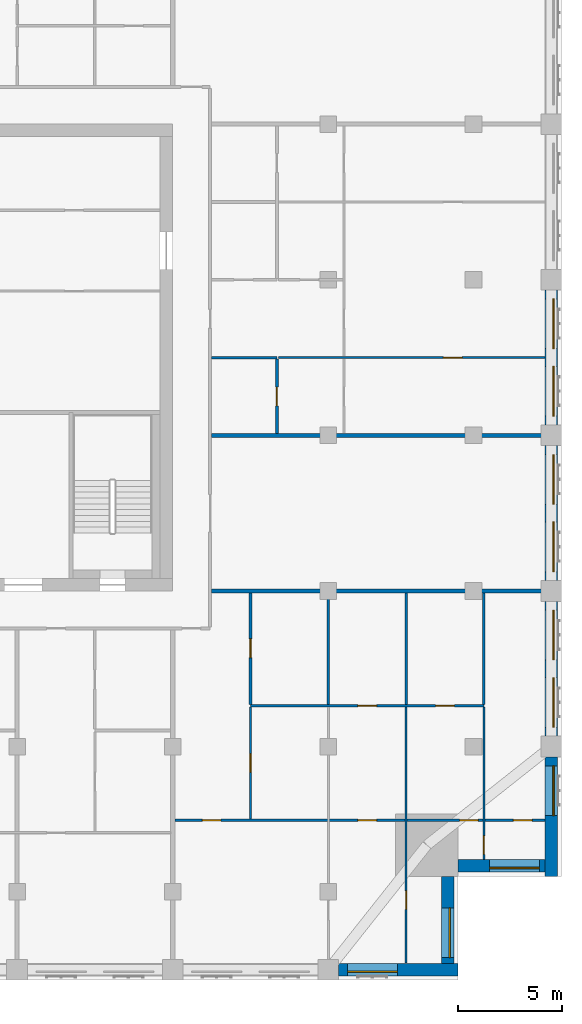
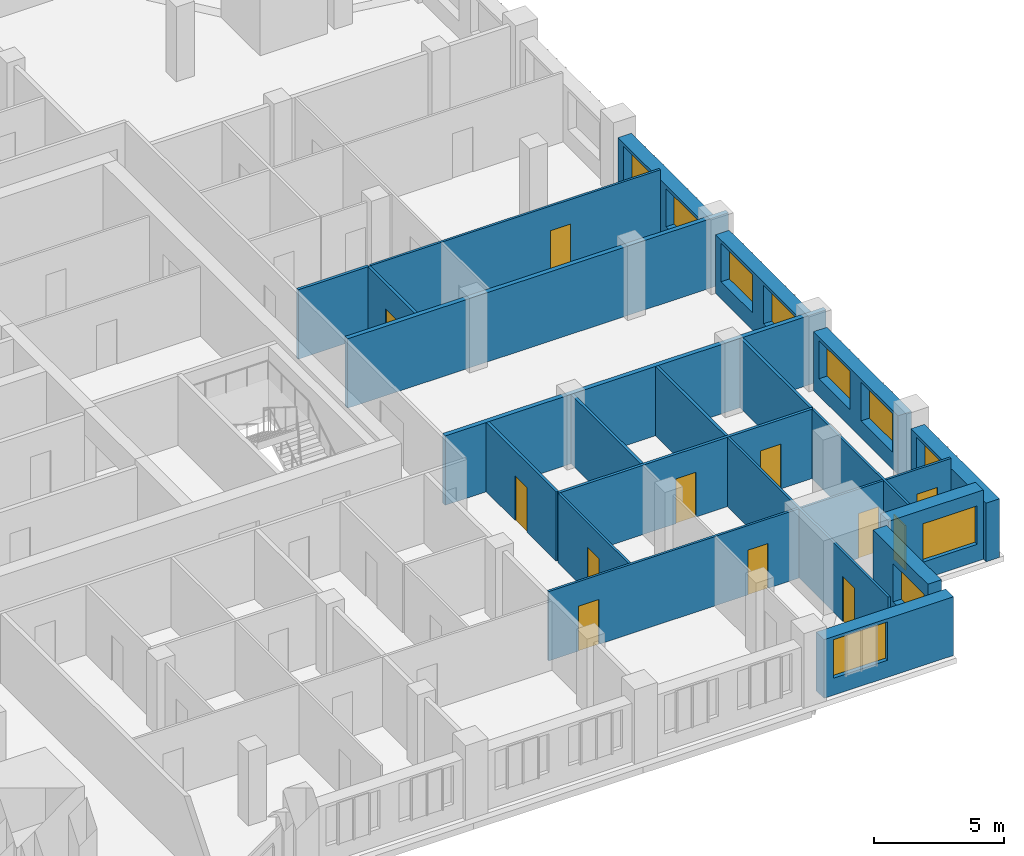
# One storey, part 5 of 11: 21 walls, 12 doors, 10 windows, 22 openings.
"""IFC4 building model written with IfcOpenShell, lengths in metres."""

from ifc_helpers import new_model, si_unit, direction, frame, frame_2d, origin, place, context, subcontext, project, spatial, rectangle, extrude, material, layer, layer_set, type_object, element, fill, save


model = new_model("IFC4")

# Units and contexts
model_context = context("Model", 3, precision=1e-05, world=origin(), true_north=direction((0.0, 1.0)))
body_context = subcontext(model_context, "Body", "Model", "MODEL_VIEW")
ifc_project = project(units=[si_unit("LENGTHUNIT", "METRE"), si_unit("AREAUNIT", "SQUARE_METRE"), si_unit("VOLUMEUNIT", "CUBIC_METRE"), si_unit("PLANEANGLEUNIT", "RADIAN"), si_unit("MASSUNIT", "GRAM", prefix="KILO")], contexts=[model_context])

# Site, building, storey
site_placement = place(None, origin())
site = spatial("IfcSite", under=ifc_project, at=site_placement, CompositionType="ELEMENT")
building_placement = place(site_placement, origin())
building = spatial("IfcBuilding", under=site, at=building_placement, Name="Tamorin Gate", CompositionType="ELEMENT")
storey_placement = place(building_placement, frame((0.0, 0.0, 233.699951171875)))
storey = spatial("IfcBuildingStorey", under=building, at=storey_placement, Name="L58", CompositionType="ELEMENT", Elevation=233.699951171875)

# Wall, opening, window
ifc_material_1 = material(Name="Precast concrete C40/50", Category="concrete")
ifc_layer_1 = layer(ifc_material_1, 0.60009765625)
ifc_layer_set_1 = layer_set([ifc_layer_1], Name="Precast concrete C40/50")
wall_type_1 = type_object("IfcWallType", Name="Board-marked concrete facade panel 600", PredefinedType="SOLIDWALL", material=ifc_layer_set_1)
wall_1_placement = place(storey_placement, frame((68.0, 41.75, 0.0), z_axis=(0.0, 0.0, 1.0), x_axis=(1.0, 0.0, 0.0)))
wall_1 = element("IfcWall", 1, at=wall_1_placement, inside=storey, type_object=wall_type_1, Name="Facade panel", PredefinedType="SOLIDWALL", context=body_context, shape_type="SweptSolid", body=[
    extrude(rectangle(XDim=5.75, YDim=0.60009765625, at=frame_2d((2.875, 0.0))), origin(), (0.0, 0.0, 1.0), 2.75),
])
opening_1_placement = place(wall_1_placement, frame((0.425048828125, 0.0, 0.800048828125)))
opening_1 = element("IfcOpeningElement", 2, at=opening_1_placement, cuts=wall_1, Name="Opening WN1", PredefinedType="OPENING", context=body_context, shape_type="SweptSolid", body=[
    extrude(rectangle(XDim=2.39990234375, YDim=1.800048828125, at=frame_2d((1.199951171875, 0.89990234375))), frame((0.0, 0.31005859375, 0.0), z_axis=(0.0, -1.0, 0.0), x_axis=(1.0, 0.0, 0.0)), (0.0, 0.0, 1.0), 0.6201171875),
])
ifc_material_2 = material(Name="Clear glass in aluminium frame", Category="aluminium")
window_type = type_object("IfcWindowType", Name="Deep-set window 2400x1800", PartitioningType="SINGLE_PANEL", PredefinedType="WINDOW", material=ifc_material_2)
window_1_placement = place(opening_1_placement, origin())
window_1 = element("IfcWindow", 3, at=window_1_placement, inside=storey, type_object=window_type, Name="Deep-set window", OverallHeight=1.800048828125, OverallWidth=2.39990234375, PartitioningType="SINGLE_PANEL", PredefinedType="WINDOW", context=body_context, shape_type="SweptSolid", body=[
    extrude(rectangle(XDim=2.39990234375, YDim=1.800048828125, at=frame_2d((1.199951171875, 0.89990234375))), frame((0.0, -0.070068359375, 0.0), z_axis=(0.0, -1.0, 0.0), x_axis=(1.0, 0.0, 0.0)), (0.0, 0.0, 1.0), 0.06005859375),
])
fill(opening_1, window_1)

wall_2_placement = place(storey_placement, frame((73.25, 42.050048828125, 0.0), z_axis=(0.0, 0.0, 1.0), x_axis=(0.0, 1.0, 0.0)))
wall_2 = element("IfcWall", 4, at=wall_2_placement, inside=storey, type_object=wall_type_1, Name="Facade panel", PredefinedType="SOLIDWALL", context=body_context, shape_type="SweptSolid", body=[
    extrude(rectangle(XDim=4.199951171875, YDim=0.60009765625, at=frame_2d((2.10009765625, 0.0))), origin(), (0.0, 0.0, 1.0), 3.25),
])
opening_2_placement = place(wall_2_placement, frame((0.27490234375, 0.0, 0.800048828125)))
opening_2 = element("IfcOpeningElement", 5, at=opening_2_placement, cuts=wall_2, Name="Opening WN1", PredefinedType="OPENING", context=body_context, shape_type="SweptSolid", body=[
    extrude(rectangle(XDim=2.39990234375, YDim=1.800048828125, at=frame_2d((1.199951171875, 0.89990234375))), frame((0.0, 0.31005859375, 0.0), z_axis=(0.0, -1.0, 0.0), x_axis=(1.0, 0.0, 0.0)), (0.0, 0.0, 1.0), 0.6201171875),
])
window_2_placement = place(opening_2_placement, origin())
window_2 = element("IfcWindow", 6, at=window_2_placement, inside=storey, type_object=window_type, Name="Deep-set window", OverallHeight=1.800048828125, OverallWidth=2.39990234375, PartitioningType="SINGLE_PANEL", PredefinedType="WINDOW", context=body_context, shape_type="SweptSolid", body=[
    extrude(rectangle(XDim=2.39990234375, YDim=1.800048828125, at=frame_2d((1.199951171875, 0.89990234375))), frame((0.0, -0.070068359375, 0.0), z_axis=(0.0, -1.0, 0.0), x_axis=(1.0, 0.0, 0.0)), (0.0, 0.0, 1.0), 0.06005859375),
])
fill(opening_2, window_2)

wall_3_placement = place(storey_placement, frame((73.75, 46.75, 0.0), z_axis=(0.0, 0.0, 1.0), x_axis=(1.0, 0.0, 0.0)))
wall_3 = element("IfcWall", 7, at=wall_3_placement, inside=storey, type_object=wall_type_1, Name="Facade panel", PredefinedType="SOLIDWALL", context=body_context, shape_type="SweptSolid", body=[
    extrude(rectangle(XDim=4.199951171875, YDim=0.60009765625, at=frame_2d((2.10009765625, 0.0))), origin(), (0.0, 0.0, 1.0), 3.25),
])
opening_3_placement = place(wall_3_placement, frame((1.52490234375, 0.0, 0.800048828125)))
opening_3 = element("IfcOpeningElement", 8, at=opening_3_placement, cuts=wall_3, Name="Opening WN1", PredefinedType="OPENING", context=body_context, shape_type="SweptSolid", body=[
    extrude(rectangle(XDim=2.39990234375, YDim=1.800048828125, at=frame_2d((1.199951171875, 0.89990234375))), frame((0.0, 0.31005859375, 0.0), z_axis=(0.0, -1.0, 0.0), x_axis=(1.0, 0.0, 0.0)), (0.0, 0.0, 1.0), 0.6201171875),
])
window_3_placement = place(opening_3_placement, origin())
window_3 = element("IfcWindow", 9, at=window_3_placement, inside=storey, type_object=window_type, Name="Deep-set window", OverallHeight=1.800048828125, OverallWidth=2.39990234375, PartitioningType="SINGLE_PANEL", PredefinedType="WINDOW", context=body_context, shape_type="SweptSolid", body=[
    extrude(rectangle(XDim=2.39990234375, YDim=1.800048828125, at=frame_2d((1.199951171875, 0.89990234375))), frame((0.0, -0.070068359375, 0.0), z_axis=(0.0, -1.0, 0.0), x_axis=(1.0, 0.0, 0.0)), (0.0, 0.0, 1.0), 0.06005859375),
])
fill(opening_3, window_3)

wall_4_placement = place(storey_placement, frame((78.25, 46.25, 0.0), z_axis=(0.0, 0.0, 1.0), x_axis=(0.0, 1.0, 0.0)))
wall_4 = element("IfcWall", 10, at=wall_4_placement, inside=storey, type_object=wall_type_1, Name="Facade panel", PredefinedType="SOLIDWALL", context=body_context, shape_type="SweptSolid", body=[
    extrude(rectangle(XDim=5.75, YDim=0.60009765625, at=frame_2d((2.875, 0.0))), origin(), (0.0, 0.0, 1.0), 2.75),
])
opening_4_placement = place(wall_4_placement, frame((2.925048828125, 0.0, 0.800048828125)))
opening_4 = element("IfcOpeningElement", 11, at=opening_4_placement, cuts=wall_4, Name="Opening WN1", PredefinedType="OPENING", context=body_context, shape_type="SweptSolid", body=[
    extrude(rectangle(XDim=2.39990234375, YDim=1.800048828125, at=frame_2d((1.199951171875, 0.89990234375))), frame((0.0, 0.31005859375, 0.0), z_axis=(0.0, -1.0, 0.0), x_axis=(1.0, 0.0, 0.0)), (0.0, 0.0, 1.0), 0.6201171875),
])
window_4_placement = place(opening_4_placement, origin())
window_4 = element("IfcWindow", 12, at=window_4_placement, inside=storey, type_object=window_type, Name="Deep-set window", OverallHeight=1.800048828125, OverallWidth=2.39990234375, PartitioningType="SINGLE_PANEL", PredefinedType="WINDOW", context=body_context, shape_type="SweptSolid", body=[
    extrude(rectangle(XDim=2.39990234375, YDim=1.800048828125, at=frame_2d((1.199951171875, 0.89990234375))), frame((0.0, -0.070068359375, 0.0), z_axis=(0.0, -1.0, 0.0), x_axis=(1.0, 0.0, 0.0)), (0.0, 0.0, 1.0), 0.06005859375),
])
fill(opening_4, window_4)

# Wall, openings, windows
wall_5_placement = place(storey_placement, frame((78.25, 53.0, 0.0), z_axis=(0.0, 0.0, 1.0), x_axis=(0.0, 1.0, 0.0)))
wall_5 = element("IfcWall", 13, at=wall_5_placement, inside=storey, type_object=wall_type_1, Name="Facade panel", PredefinedType="SOLIDWALL", context=body_context, shape_type="SweptSolid", body=[
    extrude(rectangle(XDim=6.5, YDim=0.60009765625, at=frame_2d((3.25, 0.0))), origin(), (0.0, 0.0, 1.0), 2.75),
])
opening_5_placement = place(wall_5_placement, frame((0.425048828125, 0.0, 0.800048828125)))
opening_5 = element("IfcOpeningElement", 14, at=opening_5_placement, cuts=wall_5, Name="Opening WN1", PredefinedType="OPENING", context=body_context, shape_type="SweptSolid", body=[
    extrude(rectangle(XDim=2.39990234375, YDim=1.800048828125, at=frame_2d((1.199951171875, 0.89990234375))), frame((0.0, 0.31005859375, 0.0), z_axis=(0.0, -1.0, 0.0), x_axis=(1.0, 0.0, 0.0)), (0.0, 0.0, 1.0), 0.6201171875),
])
opening_6_placement = place(wall_5_placement, frame((3.675048828125, 0.0, 0.800048828125)))
opening_6 = element("IfcOpeningElement", 15, at=opening_6_placement, cuts=wall_5, Name="Opening WN1", PredefinedType="OPENING", context=body_context, shape_type="SweptSolid", body=[
    extrude(rectangle(XDim=2.39990234375, YDim=1.800048828125, at=frame_2d((1.199951171875, 0.89990234375))), frame((0.0, 0.31005859375, 0.0), z_axis=(0.0, -1.0, 0.0), x_axis=(1.0, 0.0, 0.0)), (0.0, 0.0, 1.0), 0.6201171875),
])
window_5_placement = place(opening_5_placement, origin())
window_5 = element("IfcWindow", 16, at=window_5_placement, inside=storey, type_object=window_type, Name="Deep-set window", OverallHeight=1.800048828125, OverallWidth=2.39990234375, PartitioningType="SINGLE_PANEL", PredefinedType="WINDOW", context=body_context, shape_type="SweptSolid", body=[
    extrude(rectangle(XDim=2.39990234375, YDim=1.800048828125, at=frame_2d((1.199951171875, 0.89990234375))), frame((0.0, -0.070068359375, 0.0), z_axis=(0.0, -1.0, 0.0), x_axis=(1.0, 0.0, 0.0)), (0.0, 0.0, 1.0), 0.06005859375),
])
fill(opening_5, window_5)
window_6_placement = place(opening_6_placement, origin())
window_6 = element("IfcWindow", 17, at=window_6_placement, inside=storey, type_object=window_type, Name="Deep-set window", OverallHeight=1.800048828125, OverallWidth=2.39990234375, PartitioningType="SINGLE_PANEL", PredefinedType="WINDOW", context=body_context, shape_type="SweptSolid", body=[
    extrude(rectangle(XDim=2.39990234375, YDim=1.800048828125, at=frame_2d((1.199951171875, 0.89990234375))), frame((0.0, -0.070068359375, 0.0), z_axis=(0.0, -1.0, 0.0), x_axis=(1.0, 0.0, 0.0)), (0.0, 0.0, 1.0), 0.06005859375),
])
fill(opening_6, window_6)

wall_6_placement = place(storey_placement, frame((78.25, 60.5, 0.0), z_axis=(0.0, 0.0, 1.0), x_axis=(0.0, 1.0, 0.0)))
wall_6 = element("IfcWall", 18, at=wall_6_placement, inside=storey, type_object=wall_type_1, Name="Facade panel", PredefinedType="SOLIDWALL", context=body_context, shape_type="SweptSolid", body=[
    extrude(rectangle(XDim=6.5, YDim=0.60009765625, at=frame_2d((3.25, 0.0))), origin(), (0.0, 0.0, 1.0), 2.75),
])
opening_7_placement = place(wall_6_placement, frame((0.425048828125, 0.0, 0.800048828125)))
opening_7 = element("IfcOpeningElement", 19, at=opening_7_placement, cuts=wall_6, Name="Opening WN1", PredefinedType="OPENING", context=body_context, shape_type="SweptSolid", body=[
    extrude(rectangle(XDim=2.39990234375, YDim=1.800048828125, at=frame_2d((1.199951171875, 0.89990234375))), frame((0.0, 0.31005859375, 0.0), z_axis=(0.0, -1.0, 0.0), x_axis=(1.0, 0.0, 0.0)), (0.0, 0.0, 1.0), 0.6201171875),
])
opening_8_placement = place(wall_6_placement, frame((3.675048828125, 0.0, 0.800048828125)))
opening_8 = element("IfcOpeningElement", 20, at=opening_8_placement, cuts=wall_6, Name="Opening WN1", PredefinedType="OPENING", context=body_context, shape_type="SweptSolid", body=[
    extrude(rectangle(XDim=2.39990234375, YDim=1.800048828125, at=frame_2d((1.199951171875, 0.89990234375))), frame((0.0, 0.31005859375, 0.0), z_axis=(0.0, -1.0, 0.0), x_axis=(1.0, 0.0, 0.0)), (0.0, 0.0, 1.0), 0.6201171875),
])
window_7_placement = place(opening_7_placement, origin())
window_7 = element("IfcWindow", 21, at=window_7_placement, inside=storey, type_object=window_type, Name="Deep-set window", OverallHeight=1.800048828125, OverallWidth=2.39990234375, PartitioningType="SINGLE_PANEL", PredefinedType="WINDOW", context=body_context, shape_type="SweptSolid", body=[
    extrude(rectangle(XDim=2.39990234375, YDim=1.800048828125, at=frame_2d((1.199951171875, 0.89990234375))), frame((0.0, -0.070068359375, 0.0), z_axis=(0.0, -1.0, 0.0), x_axis=(1.0, 0.0, 0.0)), (0.0, 0.0, 1.0), 0.06005859375),
])
fill(opening_7, window_7)
window_8_placement = place(opening_8_placement, origin())
window_8 = element("IfcWindow", 22, at=window_8_placement, inside=storey, type_object=window_type, Name="Deep-set window", OverallHeight=1.800048828125, OverallWidth=2.39990234375, PartitioningType="SINGLE_PANEL", PredefinedType="WINDOW", context=body_context, shape_type="SweptSolid", body=[
    extrude(rectangle(XDim=2.39990234375, YDim=1.800048828125, at=frame_2d((1.199951171875, 0.89990234375))), frame((0.0, -0.070068359375, 0.0), z_axis=(0.0, -1.0, 0.0), x_axis=(1.0, 0.0, 0.0)), (0.0, 0.0, 1.0), 0.06005859375),
])
fill(opening_8, window_8)

wall_7_placement = place(storey_placement, frame((78.25, 68.0, 0.0), z_axis=(0.0, 0.0, 1.0), x_axis=(0.0, 1.0, 0.0)))
wall_7 = element("IfcWall", 23, at=wall_7_placement, inside=storey, type_object=wall_type_1, Name="Facade panel", PredefinedType="SOLIDWALL", context=body_context, shape_type="SweptSolid", body=[
    extrude(rectangle(XDim=6.5, YDim=0.60009765625, at=frame_2d((3.25, 0.0))), origin(), (0.0, 0.0, 1.0), 2.75),
])
opening_9_placement = place(wall_7_placement, frame((0.425048828125, 0.0, 0.800048828125)))
opening_9 = element("IfcOpeningElement", 24, at=opening_9_placement, cuts=wall_7, Name="Opening WN1", PredefinedType="OPENING", context=body_context, shape_type="SweptSolid", body=[
    extrude(rectangle(XDim=2.39990234375, YDim=1.800048828125, at=frame_2d((1.199951171875, 0.89990234375))), frame((0.0, 0.31005859375, 0.0), z_axis=(0.0, -1.0, 0.0), x_axis=(1.0, 0.0, 0.0)), (0.0, 0.0, 1.0), 0.6201171875),
])
opening_10_placement = place(wall_7_placement, frame((3.675048828125, 0.0, 0.800048828125)))
opening_10 = element("IfcOpeningElement", 25, at=opening_10_placement, cuts=wall_7, Name="Opening WN1", PredefinedType="OPENING", context=body_context, shape_type="SweptSolid", body=[
    extrude(rectangle(XDim=2.39990234375, YDim=1.800048828125, at=frame_2d((1.199951171875, 0.89990234375))), frame((0.0, 0.31005859375, 0.0), z_axis=(0.0, -1.0, 0.0), x_axis=(1.0, 0.0, 0.0)), (0.0, 0.0, 1.0), 0.6201171875),
])
window_9_placement = place(opening_9_placement, origin())
window_9 = element("IfcWindow", 26, at=window_9_placement, inside=storey, type_object=window_type, Name="Deep-set window", OverallHeight=1.800048828125, OverallWidth=2.39990234375, PartitioningType="SINGLE_PANEL", PredefinedType="WINDOW", context=body_context, shape_type="SweptSolid", body=[
    extrude(rectangle(XDim=2.39990234375, YDim=1.800048828125, at=frame_2d((1.199951171875, 0.89990234375))), frame((0.0, -0.070068359375, 0.0), z_axis=(0.0, -1.0, 0.0), x_axis=(1.0, 0.0, 0.0)), (0.0, 0.0, 1.0), 0.06005859375),
])
fill(opening_9, window_9)
window_10_placement = place(opening_10_placement, origin())
window_10 = element("IfcWindow", 27, at=window_10_placement, inside=storey, type_object=window_type, Name="Deep-set window", OverallHeight=1.800048828125, OverallWidth=2.39990234375, PartitioningType="SINGLE_PANEL", PredefinedType="WINDOW", context=body_context, shape_type="SweptSolid", body=[
    extrude(rectangle(XDim=2.39990234375, YDim=1.800048828125, at=frame_2d((1.199951171875, 0.89990234375))), frame((0.0, -0.070068359375, 0.0), z_axis=(0.0, -1.0, 0.0), x_axis=(1.0, 0.0, 0.0)), (0.0, 0.0, 1.0), 0.06005859375),
])
fill(opening_10, window_10)

# Walls
ifc_material_3 = material(Name="Gypsum board partition")
ifc_layer_2 = layer(ifc_material_3, 0.199951171875)
ifc_layer_set_2 = layer_set([ifc_layer_2], Name="Demising wall 200")
wall_type_2 = type_object("IfcWallType", Name="Demising wall 200", PredefinedType="PARTITIONING", material=ifc_layer_set_2)
for number, where, z_axis, x_axis, name in (
    (28, (61.875, 60.0, 0.0), (0.0, 0.0, 1.0), (1.0, 0.0, 0.0), "Demising wall 200"),
    (29, (61.875, 67.5, 0.0), (0.0, 0.0, 1.0), (1.0, 0.0, 0.0), "Demising wall 200"),
):
    element("IfcWall", number, at=place(storey_placement, frame(where, z_axis=z_axis, x_axis=x_axis)), inside=storey, type_object=wall_type_2, Name=name, PredefinedType="PARTITIONING", context=body_context, shape_type="SweptSolid", body=[
        extrude(rectangle(XDim=16.875, YDim=0.199951171875, at=frame_2d((8.4375, 0.0))), origin(), (0.0, 0.0, 1.0), 3.25),
    ])

# Wall, openings, doors
ifc_layer_3 = layer(ifc_material_3, 0.10009765625)
ifc_layer_set_3 = layer_set([ifc_layer_3], Name="Room partition 100")
wall_type_3 = type_object("IfcWallType", Name="Room partition 100", PredefinedType="PARTITIONING", material=ifc_layer_set_3)
wall_8_placement = place(storey_placement, frame((60.10009765625, 48.949951171875, 0.0), z_axis=(0.0, 0.0, 1.0), x_axis=(1.0, 0.0, 0.0)))
wall_8 = element("IfcWall", 30, at=wall_8_placement, inside=storey, type_object=wall_type_3, Name="Room partition 100", PredefinedType="PARTITIONING", context=body_context, shape_type="SweptSolid", body=[
    extrude(rectangle(XDim=17.83984375, YDim=0.10009765625, at=frame_2d((8.919921875, 0.0))), origin(), (0.0, 0.0, 1.0), 3.25),
])
opening_11_placement = place(wall_8_placement, frame((1.324951171875, 0.0, 0.0)))
opening_11 = element("IfcOpeningElement", 31, at=opening_11_placement, cuts=wall_8, Name="Opening DR8015", PredefinedType="OPENING", context=body_context, shape_type="SweptSolid", body=[
    extrude(rectangle(XDim=0.89990234375, YDim=2.10009765625, at=frame_2d((0.449951171875, 1.050048828125))), frame((0.0, 0.06005859375, 0.0), z_axis=(0.0, -1.0, 0.0), x_axis=(1.0, 0.0, 0.0)), (0.0, 0.0, 1.0), 0.1201171875),
])
opening_12_placement = place(wall_8_placement, frame((8.824951171875, 0.0, 0.0)))
opening_12 = element("IfcOpeningElement", 32, at=opening_12_placement, cuts=wall_8, Name="Opening DR8018", PredefinedType="OPENING", context=body_context, shape_type="SweptSolid", body=[
    extrude(rectangle(XDim=0.89990234375, YDim=2.10009765625, at=frame_2d((0.449951171875, 1.050048828125))), frame((0.0, 0.06005859375, 0.0), z_axis=(0.0, -1.0, 0.0), x_axis=(1.0, 0.0, 0.0)), (0.0, 0.0, 1.0), 0.1201171875),
])
opening_13_placement = place(wall_8_placement, frame((13.72509765625, 0.0, 0.0)))
opening_13 = element("IfcOpeningElement", 33, at=opening_13_placement, cuts=wall_8, Name="Opening DR8020", PredefinedType="OPENING", context=body_context, shape_type="SweptSolid", body=[
    extrude(rectangle(XDim=0.89990234375, YDim=2.10009765625, at=frame_2d((0.449951171875, 1.050048828125))), frame((0.0, 0.06005859375, 0.0), z_axis=(0.0, -1.0, 0.0), x_axis=(1.0, 0.0, 0.0)), (0.0, 0.0, 1.0), 0.1201171875),
])
opening_14_placement = place(wall_8_placement, frame((16.324951171875, 0.0, 0.0)))
opening_14 = element("IfcOpeningElement", 34, at=opening_14_placement, cuts=wall_8, Name="Opening DR8022", PredefinedType="OPENING", context=body_context, shape_type="SweptSolid", body=[
    extrude(rectangle(XDim=0.89990234375, YDim=2.10009765625, at=frame_2d((0.449951171875, 1.050048828125))), frame((0.0, 0.06005859375, 0.0), z_axis=(0.0, -1.0, 0.0), x_axis=(1.0, 0.0, 0.0)), (0.0, 0.0, 1.0), 0.1201171875),
])
ifc_material_4 = material(Name="Timber door leaf", Category="wood")
door_type = type_object("IfcDoorType", Name="Door 900 x 2100", OperationType="NOTDEFINED", PredefinedType="DOOR", material=ifc_material_4)
door_1_placement = place(opening_11_placement, origin())
door_1 = element("IfcDoor", 35, at=door_1_placement, inside=storey, type_object=door_type, Name="Door DR8015", OperationType="SINGLE_SWING_LEFT", OverallHeight=2.10009765625, OverallWidth=0.89990234375, PredefinedType="DOOR", context=body_context, shape_type="SweptSolid", body=[
    extrude(rectangle(XDim=0.89990234375, YDim=2.10009765625, at=frame_2d((0.449951171875, 1.050048828125))), frame((0.0, 0.02490234375, 0.0), z_axis=(0.0, -1.0, 0.0), x_axis=(1.0, 0.0, 0.0)), (0.0, 0.0, 1.0), 0.050048828125),
])
fill(opening_11, door_1)
door_2_placement = place(opening_12_placement, origin())
door_2 = element("IfcDoor", 36, at=door_2_placement, inside=storey, type_object=door_type, Name="Door DR8018", OperationType="SINGLE_SWING_LEFT", OverallHeight=2.10009765625, OverallWidth=0.89990234375, PredefinedType="DOOR", context=body_context, shape_type="SweptSolid", body=[
    extrude(rectangle(XDim=0.89990234375, YDim=2.10009765625, at=frame_2d((0.449951171875, 1.050048828125))), frame((0.0, 0.02490234375, 0.0), z_axis=(0.0, -1.0, 0.0), x_axis=(1.0, 0.0, 0.0)), (0.0, 0.0, 1.0), 0.050048828125),
])
fill(opening_12, door_2)
door_3_placement = place(opening_13_placement, origin())
door_3 = element("IfcDoor", 37, at=door_3_placement, inside=storey, type_object=door_type, Name="Door DR8020", OperationType="SINGLE_SWING_RIGHT", OverallHeight=2.10009765625, OverallWidth=0.89990234375, PredefinedType="DOOR", context=body_context, shape_type="SweptSolid", body=[
    extrude(rectangle(XDim=0.89990234375, YDim=2.10009765625, at=frame_2d((0.449951171875, 1.050048828125))), frame((0.0, 0.02490234375, 0.0), z_axis=(0.0, -1.0, 0.0), x_axis=(1.0, 0.0, 0.0)), (0.0, 0.0, 1.0), 0.050048828125),
])
fill(opening_13, door_3)
door_4_placement = place(opening_14_placement, origin())
door_4 = element("IfcDoor", 38, at=door_4_placement, inside=storey, type_object=door_type, Name="Door DR8022", OperationType="SINGLE_SWING_LEFT", OverallHeight=2.10009765625, OverallWidth=0.89990234375, PredefinedType="DOOR", context=body_context, shape_type="SweptSolid", body=[
    extrude(rectangle(XDim=0.89990234375, YDim=2.10009765625, at=frame_2d((0.449951171875, 1.050048828125))), frame((0.0, 0.02490234375, 0.0), z_axis=(0.0, -1.0, 0.0), x_axis=(1.0, 0.0, 0.0)), (0.0, 0.0, 1.0), 0.050048828125),
])
fill(opening_14, door_4)

# Wall, opening, door
wall_9_placement = place(storey_placement, frame((65.08740234375, 71.25, 0.0), z_axis=(0.0, 0.0, 1.0), x_axis=(1.0, 0.0, 0.0)))
wall_9 = element("IfcWall", 39, at=wall_9_placement, inside=storey, type_object=wall_type_3, Name="Room partition 100", PredefinedType="PARTITIONING", context=body_context, shape_type="SweptSolid", body=[
    extrude(rectangle(XDim=12.8525390625, YDim=0.10009765625, at=frame_2d((6.42626953125, 0.0))), origin(), (0.0, 0.0, 1.0), 3.25),
])
opening_15_placement = place(wall_9_placement, frame((7.96240234375, 0.0, 0.0)))
opening_15 = element("IfcOpeningElement", 40, at=opening_15_placement, cuts=wall_9, Name="Opening DR8054", PredefinedType="OPENING", context=body_context, shape_type="SweptSolid", body=[
    extrude(rectangle(XDim=0.89990234375, YDim=2.10009765625, at=frame_2d((0.449951171875, 1.050048828125))), frame((0.0, 0.06005859375, 0.0), z_axis=(0.0, -1.0, 0.0), x_axis=(1.0, 0.0, 0.0)), (0.0, 0.0, 1.0), 0.1201171875),
])
door_5_placement = place(opening_15_placement, origin())
door_5 = element("IfcDoor", 41, at=door_5_placement, inside=storey, type_object=door_type, Name="Door DR8054", OperationType="SINGLE_SWING_RIGHT", OverallHeight=2.10009765625, OverallWidth=0.89990234375, PredefinedType="DOOR", context=body_context, shape_type="SweptSolid", body=[
    extrude(rectangle(XDim=0.89990234375, YDim=2.10009765625, at=frame_2d((0.449951171875, 1.050048828125))), frame((0.0, 0.02490234375, 0.0), z_axis=(0.0, -1.0, 0.0), x_axis=(1.0, 0.0, 0.0)), (0.0, 0.0, 1.0), 0.050048828125),
])
fill(opening_15, door_5)

wall_10_placement = place(storey_placement, frame((63.75, 49.0, 0.0), z_axis=(0.0, 0.0, 1.0), x_axis=(0.0, 1.0, 0.0)))
wall_10 = element("IfcWall", 42, at=wall_10_placement, inside=storey, type_object=wall_type_3, Name="Room partition 100", PredefinedType="PARTITIONING", context=body_context, shape_type="SweptSolid", body=[
    extrude(rectangle(XDim=5.41259765625, YDim=0.10009765625, at=frame_2d((2.706298828125, 0.0))), origin(), (0.0, 0.0, 1.0), 3.25),
])
opening_16_placement = place(wall_10_placement, frame((2.262451171875, 0.0, 0.0)))
opening_16 = element("IfcOpeningElement", 43, at=opening_16_placement, cuts=wall_10, Name="Opening DR8016", PredefinedType="OPENING", context=body_context, shape_type="SweptSolid", body=[
    extrude(rectangle(XDim=0.89990234375, YDim=2.10009765625, at=frame_2d((0.449951171875, 1.050048828125))), frame((0.0, 0.06005859375, 0.0), z_axis=(0.0, -1.0, 0.0), x_axis=(1.0, 0.0, 0.0)), (0.0, 0.0, 1.0), 0.1201171875),
])
door_6_placement = place(opening_16_placement, origin())
door_6 = element("IfcDoor", 44, at=door_6_placement, inside=storey, type_object=door_type, Name="Door DR8016", OperationType="SINGLE_SWING_RIGHT", OverallHeight=2.10009765625, OverallWidth=0.89990234375, PredefinedType="DOOR", context=body_context, shape_type="SweptSolid", body=[
    extrude(rectangle(XDim=0.89990234375, YDim=2.10009765625, at=frame_2d((0.449951171875, 1.050048828125))), frame((0.0, 0.02490234375, 0.0), z_axis=(0.0, -1.0, 0.0), x_axis=(1.0, 0.0, 0.0)), (0.0, 0.0, 1.0), 0.050048828125),
])
fill(opening_16, door_6)

wall_11_placement = place(storey_placement, frame((71.25, 42.06005859375, 0.0), z_axis=(0.0, 0.0, 1.0), x_axis=(0.0, 1.0, 0.0)))
wall_11 = element("IfcWall", 45, at=wall_11_placement, inside=storey, type_object=wall_type_3, Name="Room partition 100", PredefinedType="PARTITIONING", context=body_context, shape_type="SweptSolid", body=[
    extrude(rectangle(XDim=12.3525390625, YDim=0.10009765625, at=frame_2d((6.17626953125, 0.0))), origin(), (0.0, 0.0, 1.0), 3.25),
])
opening_17_placement = place(wall_11_placement, frame((2.590087890625, 0.0, 0.0)))
opening_17 = element("IfcOpeningElement", 46, at=opening_17_placement, cuts=wall_11, Name="Opening DR8024", PredefinedType="OPENING", context=body_context, shape_type="SweptSolid", body=[
    extrude(rectangle(XDim=0.89990234375, YDim=2.10009765625, at=frame_2d((0.449951171875, 1.050048828125))), frame((0.0, 0.06005859375, 0.0), z_axis=(0.0, -1.0, 0.0), x_axis=(1.0, 0.0, 0.0)), (0.0, 0.0, 1.0), 0.1201171875),
])
door_7_placement = place(opening_17_placement, origin())
door_7 = element("IfcDoor", 47, at=door_7_placement, inside=storey, type_object=door_type, Name="Door DR8024", OperationType="SINGLE_SWING_LEFT", OverallHeight=2.10009765625, OverallWidth=0.89990234375, PredefinedType="DOOR", context=body_context, shape_type="SweptSolid", body=[
    extrude(rectangle(XDim=0.89990234375, YDim=2.10009765625, at=frame_2d((0.449951171875, 1.050048828125))), frame((0.0, 0.02490234375, 0.0), z_axis=(0.0, -1.0, 0.0), x_axis=(1.0, 0.0, 0.0)), (0.0, 0.0, 1.0), 0.050048828125),
])
fill(opening_17, door_7)

wall_12_placement = place(storey_placement, frame((75.0, 47.06005859375, 0.0), z_axis=(0.0, 0.0, 1.0), x_axis=(0.0, 1.0, 0.0)))
wall_12 = element("IfcWall", 48, at=wall_12_placement, inside=storey, type_object=wall_type_3, Name="Room partition 100", PredefinedType="PARTITIONING", context=body_context, shape_type="SweptSolid", body=[
    extrude(rectangle(XDim=7.3525390625, YDim=0.10009765625, at=frame_2d((3.67626953125, 0.0))), origin(), (0.0, 0.0, 1.0), 3.25),
])
opening_18_placement = place(wall_12_placement, frame((0.239990234375, 0.0, 0.0)))
opening_18 = element("IfcOpeningElement", 49, at=opening_18_placement, cuts=wall_12, Name="Opening DR8025", PredefinedType="OPENING", context=body_context, shape_type="SweptSolid", body=[
    extrude(rectangle(XDim=0.89990234375, YDim=2.10009765625, at=frame_2d((0.449951171875, 1.050048828125))), frame((0.0, 0.06005859375, 0.0), z_axis=(0.0, -1.0, 0.0), x_axis=(1.0, 0.0, 0.0)), (0.0, 0.0, 1.0), 0.1201171875),
])
door_8_placement = place(opening_18_placement, origin())
door_8 = element("IfcDoor", 50, at=door_8_placement, inside=storey, type_object=door_type, Name="Door DR8025", OperationType="SINGLE_SWING_RIGHT", OverallHeight=2.10009765625, OverallWidth=0.89990234375, PredefinedType="DOOR", context=body_context, shape_type="SweptSolid", body=[
    extrude(rectangle(XDim=0.89990234375, YDim=2.10009765625, at=frame_2d((0.449951171875, 1.050048828125))), frame((0.0, 0.02490234375, 0.0), z_axis=(0.0, -1.0, 0.0), x_axis=(1.0, 0.0, 0.0)), (0.0, 0.0, 1.0), 0.050048828125),
])
fill(opening_18, door_8)

# Wall, openings, doors
ifc_layer_4 = layer(ifc_material_3, 0.125)
ifc_layer_set_4 = layer_set([ifc_layer_4], Name="Wet wall 125")
wall_type_4 = type_object("IfcWallType", Name="Wet wall 125", PredefinedType="PARTITIONING", material=ifc_layer_set_4)
wall_13_placement = place(storey_placement, frame((63.75, 54.47509765625, 0.0), z_axis=(0.0, 0.0, 1.0), x_axis=(1.0, 0.0, 0.0)))
wall_13 = element("IfcWall", 51, at=wall_13_placement, inside=storey, type_object=wall_type_4, Name="Wet wall 125", PredefinedType="PARTITIONING", context=body_context, shape_type="SweptSolid", body=[
    extrude(rectangle(XDim=11.25, YDim=0.125, at=frame_2d((5.625, 0.0))), origin(), (0.0, 0.0, 1.0), 3.25),
])
opening_19_placement = place(wall_13_placement, frame((5.175048828125, 0.0, 0.0)))
opening_19 = element("IfcOpeningElement", 52, at=opening_19_placement, cuts=wall_13, Name="Opening DR8019", PredefinedType="OPENING", context=body_context, shape_type="SweptSolid", body=[
    extrude(rectangle(XDim=0.89990234375, YDim=2.10009765625, at=frame_2d((0.449951171875, 1.050048828125))), frame((0.0, 0.072509765625, 0.0), z_axis=(0.0, -1.0, 0.0), x_axis=(1.0, 0.0, 0.0)), (0.0, 0.0, 1.0), 0.14501953125),
])
opening_20_placement = place(wall_13_placement, frame((8.925048828125, 0.0, 0.0)))
opening_20 = element("IfcOpeningElement", 53, at=opening_20_placement, cuts=wall_13, Name="Opening DR8021", PredefinedType="OPENING", context=body_context, shape_type="SweptSolid", body=[
    extrude(rectangle(XDim=0.89990234375, YDim=2.10009765625, at=frame_2d((0.449951171875, 1.050048828125))), frame((0.0, 0.072509765625, 0.0), z_axis=(0.0, -1.0, 0.0), x_axis=(1.0, 0.0, 0.0)), (0.0, 0.0, 1.0), 0.14501953125),
])
door_9_placement = place(opening_19_placement, origin())
door_9 = element("IfcDoor", 54, at=door_9_placement, inside=storey, type_object=door_type, Name="Door DR8019", OperationType="SINGLE_SWING_LEFT", OverallHeight=2.10009765625, OverallWidth=0.89990234375, PredefinedType="DOOR", context=body_context, shape_type="SweptSolid", body=[
    extrude(rectangle(XDim=0.89990234375, YDim=2.10009765625, at=frame_2d((0.449951171875, 1.050048828125))), frame((0.0, 0.02490234375, 0.0), z_axis=(0.0, -1.0, 0.0), x_axis=(1.0, 0.0, 0.0)), (0.0, 0.0, 1.0), 0.050048828125),
])
fill(opening_19, door_9)
door_10_placement = place(opening_20_placement, origin())
door_10 = element("IfcDoor", 55, at=door_10_placement, inside=storey, type_object=door_type, Name="Door DR8021", OperationType="SINGLE_SWING_LEFT", OverallHeight=2.10009765625, OverallWidth=0.89990234375, PredefinedType="DOOR", context=body_context, shape_type="SweptSolid", body=[
    extrude(rectangle(XDim=0.89990234375, YDim=2.10009765625, at=frame_2d((0.449951171875, 1.050048828125))), frame((0.0, 0.02490234375, 0.0), z_axis=(0.0, -1.0, 0.0), x_axis=(1.0, 0.0, 0.0)), (0.0, 0.0, 1.0), 0.050048828125),
])
fill(opening_20, door_10)

# Wall
wall_14_placement = place(storey_placement, frame((61.875, 71.25, 0.0), z_axis=(0.0, 0.0, 1.0), x_axis=(1.0, 0.0, 0.0)))
element("IfcWall", 56, at=wall_14_placement, inside=storey, type_object=wall_type_4, Name="Wet wall 125", PredefinedType="PARTITIONING", context=body_context, shape_type="SweptSolid", body=[
    extrude(rectangle(XDim=3.14990234375, YDim=0.125, at=frame_2d((1.574951171875, 0.0))), origin(), (0.0, 0.0, 1.0), 3.25),
])

# Wall, opening, door
wall_15_placement = place(storey_placement, frame((63.75, 54.53759765625, 0.0), z_axis=(0.0, 0.0, 1.0), x_axis=(0.0, 1.0, 0.0)))
wall_15 = element("IfcWall", 57, at=wall_15_placement, inside=storey, type_object=wall_type_4, Name="Wet wall 125", PredefinedType="PARTITIONING", context=body_context, shape_type="SweptSolid", body=[
    extrude(rectangle(XDim=5.3623046875, YDim=0.125, at=frame_2d((2.68115234375, 0.0))), origin(), (0.0, 0.0, 1.0), 3.25),
])
opening_21_placement = place(wall_15_placement, frame((2.25, 0.0, 0.0)))
opening_21 = element("IfcOpeningElement", 58, at=opening_21_placement, cuts=wall_15, Name="Opening DR8017", PredefinedType="OPENING", context=body_context, shape_type="SweptSolid", body=[
    extrude(rectangle(XDim=0.89990234375, YDim=2.10009765625, at=frame_2d((0.449951171875, 1.050048828125))), frame((0.0, 0.072509765625, 0.0), z_axis=(0.0, -1.0, 0.0), x_axis=(1.0, 0.0, 0.0)), (0.0, 0.0, 1.0), 0.14501953125),
])
door_11_placement = place(opening_21_placement, origin())
door_11 = element("IfcDoor", 59, at=door_11_placement, inside=storey, type_object=door_type, Name="Door DR8017", OperationType="SINGLE_SWING_RIGHT", OverallHeight=2.10009765625, OverallWidth=0.89990234375, PredefinedType="DOOR", context=body_context, shape_type="SweptSolid", body=[
    extrude(rectangle(XDim=0.89990234375, YDim=2.10009765625, at=frame_2d((0.449951171875, 1.050048828125))), frame((0.0, 0.02490234375, 0.0), z_axis=(0.0, -1.0, 0.0), x_axis=(1.0, 0.0, 0.0)), (0.0, 0.0, 1.0), 0.050048828125),
])
fill(opening_21, door_11)

wall_16_placement = place(storey_placement, frame((65.02490234375, 67.60009765625, 0.0), z_axis=(0.0, 0.0, 1.0), x_axis=(0.0, 1.0, 0.0)))
wall_16 = element("IfcWall", 60, at=wall_16_placement, inside=storey, type_object=wall_type_4, Name="Wet wall 125", PredefinedType="PARTITIONING", context=body_context, shape_type="SweptSolid", body=[
    extrude(rectangle(XDim=3.58740234375, YDim=0.125, at=frame_2d((1.793701171875, 0.0))), origin(), (0.0, 0.0, 1.0), 3.25),
])
opening_22_placement = place(wall_16_placement, frame((1.324951171875, 0.0, 0.0)))
opening_22 = element("IfcOpeningElement", 61, at=opening_22_placement, cuts=wall_16, Name="Opening DR8047", PredefinedType="OPENING", context=body_context, shape_type="SweptSolid", body=[
    extrude(rectangle(XDim=0.89990234375, YDim=2.10009765625, at=frame_2d((0.449951171875, 1.050048828125))), frame((0.0, 0.072509765625, 0.0), z_axis=(0.0, -1.0, 0.0), x_axis=(1.0, 0.0, 0.0)), (0.0, 0.0, 1.0), 0.14501953125),
])
door_12_placement = place(opening_22_placement, origin())
door_12 = element("IfcDoor", 62, at=door_12_placement, inside=storey, type_object=door_type, Name="Door DR8047", OperationType="SINGLE_SWING_LEFT", OverallHeight=2.10009765625, OverallWidth=0.89990234375, PredefinedType="DOOR", context=body_context, shape_type="SweptSolid", body=[
    extrude(rectangle(XDim=0.89990234375, YDim=2.10009765625, at=frame_2d((0.449951171875, 1.050048828125))), frame((0.0, 0.02490234375, 0.0), z_axis=(0.0, -1.0, 0.0), x_axis=(1.0, 0.0, 0.0)), (0.0, 0.0, 1.0), 0.050048828125),
])
fill(opening_22, door_12)

# Walls
for number, where, z_axis, x_axis, name in (
    (63, (67.5, 54.53759765625, 0.0), (0.0, 0.0, 1.0), (0.0, 1.0, 0.0), "Wet wall 125"),
    (64, (71.25, 54.53759765625, 0.0), (0.0, 0.0, 1.0), (0.0, 1.0, 0.0), "Wet wall 125"),
    (65, (75.0, 54.53759765625, 0.0), (0.0, 0.0, 1.0), (0.0, 1.0, 0.0), "Wet wall 125"),
):
    element("IfcWall", number, at=place(storey_placement, frame(where, z_axis=z_axis, x_axis=x_axis)), inside=storey, type_object=wall_type_4, Name=name, PredefinedType="PARTITIONING", context=body_context, shape_type="SweptSolid", body=[
        extrude(rectangle(XDim=5.3623046875, YDim=0.125, at=frame_2d((2.68115234375, 0.0))), origin(), (0.0, 0.0, 1.0), 3.25),
    ])

save(model, "model.ifc")
